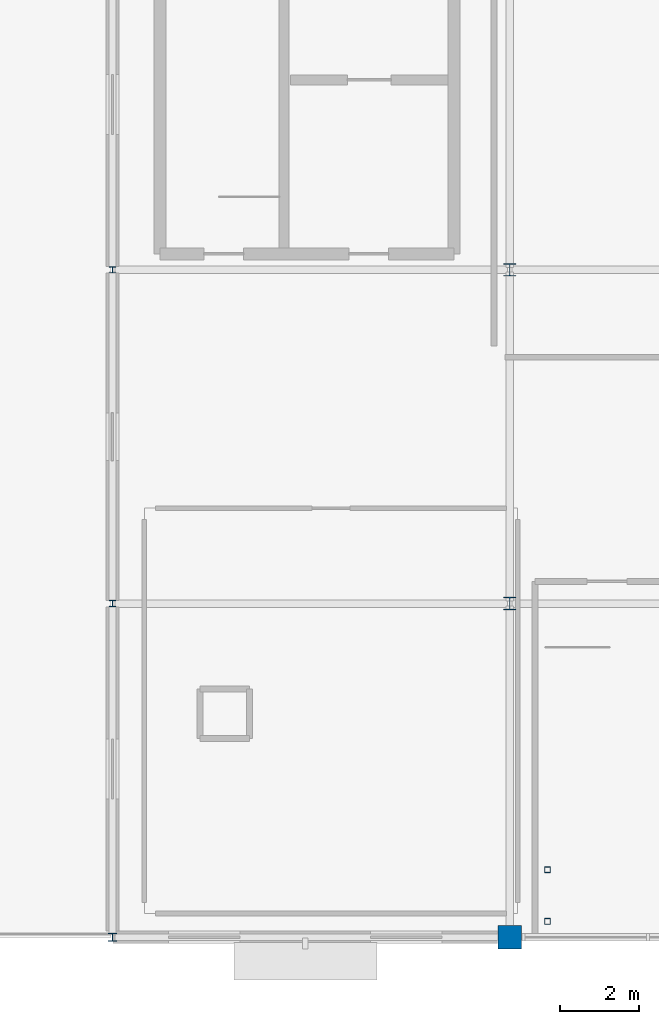
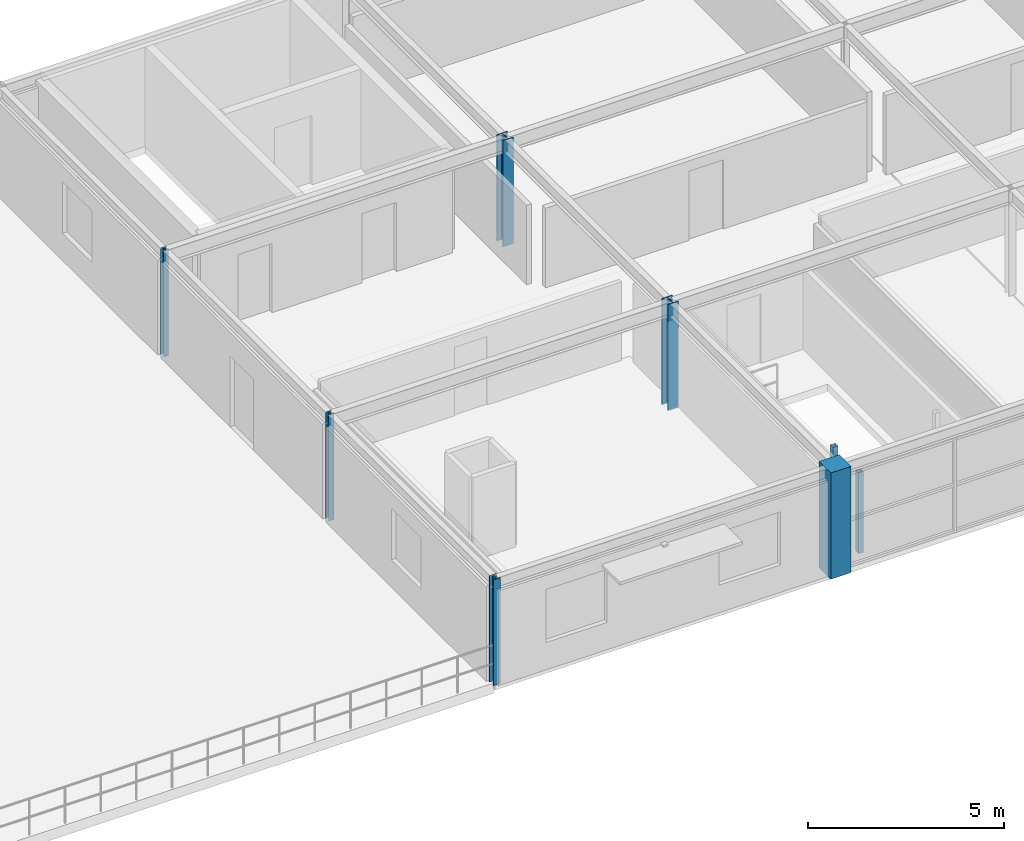
# One storey, part 1 of 12: 8 columns.
"""IFC4 building model written with IfcOpenShell, lengths in metres."""

from ifc_helpers import new_model, si_unit, derived_unit, direction, frame, origin, origin_2d_with_axis, place, context, subcontext, project, spatial, rectangle, hollow_rectangle, i_section, extrude, material, material_profile, profile_set, type_object, element, save


model = new_model("IFC4")

# Units and contexts
model_context = context("Model", 3, precision=1e-05, world=origin(), true_north=direction((0.0, 1.0)))
body_context = subcontext(model_context, "Body", "Model", "MODEL_VIEW")
ifc_project = project(units=[si_unit("LENGTHUNIT", "METRE"), si_unit("AREAUNIT", "SQUARE_METRE"), si_unit("VOLUMEUNIT", "CUBIC_METRE"), si_unit("PLANEANGLEUNIT", "RADIAN"), si_unit("MASSUNIT", "GRAM", prefix="KILO"), derived_unit("THERMALTRANSMITTANCEUNIT", [(si_unit("POWERUNIT", "WATT"), 1), (si_unit("LENGTHUNIT", "METRE"), -2), (si_unit("THERMODYNAMICTEMPERATUREUNIT", "KELVIN"), -1)])], contexts=[model_context])

# Site, building, storey
site_placement = place(None, origin())
site = spatial("IfcSite", under=ifc_project, at=site_placement, CompositionType="ELEMENT")
building_placement = place(site_placement, origin())
building = spatial("IfcBuilding", under=site, at=building_placement, Name="Cinnabar Yard Market Hall", CompositionType="ELEMENT")
storey_placement = place(building_placement, frame((0.0, 0.0, 15.300048828125)))
storey = spatial("IfcBuildingStorey", under=building, at=storey_placement, Name="L04", CompositionType="ELEMENT", Elevation=15.300048828125)

# Columns
ifc_material_1 = material(Name="Steel Grade 350 (350 MPa)", Category="steel")
ifc_material_profile_1 = material_profile(ifc_material_1, i_section(OverallWidth=0.311279296875, OverallDepth=0.3271484375, WebThickness=0.015625, FlangeThickness=0.02490234375, FilletRadius=0.0166015625, at=origin_2d_with_axis()), Name="310UC158")
ifc_profile_set_1 = profile_set([ifc_material_profile_1], Name="Steel Grade 350 (350 MPa)")
column_type_1 = type_object("IfcColumnType", Name="COL-C06", PredefinedType="COLUMN", material=ifc_profile_set_1)
column_1_placement = place(storey_placement, frame((106.0, 121.199951171875, 0.0), z_axis=(0.0, 0.0, 1.0), x_axis=(1.0, 0.0, 0.0)))
element("IfcColumn", 1, at=column_1_placement, inside=storey, type_object=column_type_1, Name="Belvedere Column V3-05-03 L04", PredefinedType="COLUMN", context=body_context, shape_type="SweptSolid", body=[
    extrude(i_section(OverallWidth=0.311279296875, OverallDepth=0.3271484375, WebThickness=0.015625, FlangeThickness=0.02490234375, FilletRadius=0.0166015625, at=origin_2d_with_axis()), origin(), (0.0, 0.0, 1.0), 3.300048828125),
])
ifc_material_profile_2 = material_profile(ifc_material_1, i_section(OverallWidth=0.30908203125, OverallDepth=0.320556640625, WebThickness=0.013916015625, FlangeThickness=0.021728515625, FilletRadius=0.0166015625, at=origin_2d_with_axis()), Name="310UC137")
ifc_profile_set_2 = profile_set([ifc_material_profile_2], Name="Steel Grade 350 (350 MPa)")
column_type_2 = type_object("IfcColumnType", Name="COL-C07", PredefinedType="COLUMN", material=ifc_profile_set_2)
column_2_placement = place(storey_placement, frame((106.0, 129.60009765625, 0.0), z_axis=(0.0, 0.0, 1.0), x_axis=(1.0, 0.0, 0.0)))
element("IfcColumn", 2, at=column_2_placement, inside=storey, type_object=column_type_2, Name="Belvedere Column V3-05-04 L04", PredefinedType="COLUMN", context=body_context, shape_type="SweptSolid", body=[
    extrude(i_section(OverallWidth=0.30908203125, OverallDepth=0.320556640625, WebThickness=0.013916015625, FlangeThickness=0.021728515625, FilletRadius=0.0166015625, at=origin_2d_with_axis()), origin(), (0.0, 0.0, 1.0), 3.300048828125),
])
ifc_material_2 = material(Name="Cold-formed steel C350L0", Category="steel")
ifc_material_profile_3 = material_profile(ifc_material_2, hollow_rectangle(XDim=0.14990234375, YDim=0.14990234375, WallThickness=0.006103515625, InnerFilletRadius=0.006103515625, OuterFilletRadius=0.011962890625, at=origin_2d_with_axis()), Name="150x150x6.0SHS")
ifc_profile_set_3 = profile_set([ifc_material_profile_3], Name="Cold-formed steel C350L0")
column_type_3 = type_object("IfcColumnType", Name="COL-C16", PredefinedType="COLUMN", material=ifc_profile_set_3)
for number, where, z_axis, x_axis, name in (
    (3, (106.949951171875, 113.199951171875, 0.0), (0.0, 0.0, 1.0), (1.0, 0.0, 0.0), "Feature Stair Cap Post ST-F4-1"),
    (4, (106.949951171875, 114.5, 0.0), (0.0, 0.0, 1.0), (1.0, 0.0, 0.0), "Feature Stair Cap Post ST-F4-3"),
):
    element("IfcColumn", number, at=place(storey_placement, frame(where, z_axis=z_axis, x_axis=x_axis)), inside=storey, type_object=column_type_3, Name=name, PredefinedType="COLUMN", context=body_context, shape_type="SweptSolid", body=[
        extrude(hollow_rectangle(XDim=0.14990234375, YDim=0.14990234375, WallThickness=0.006103515625, InnerFilletRadius=0.006103515625, OuterFilletRadius=0.011962890625, at=origin_2d_with_axis()), origin(), (0.0, 0.0, 1.0), 2.510009765625),
    ])
ifc_material_3 = material(Name="Steel Grade 300 (300 MPa)", Category="steel")
ifc_material_profile_4 = material_profile(ifc_material_3, i_section(OverallWidth=0.205078125, OverallDepth=0.209716796875, WebThickness=0.00927734375, FlangeThickness=0.01416015625, FilletRadius=0.011474609375, at=origin_2d_with_axis()), Name="200UC59.5")
ifc_profile_set_4 = profile_set([ifc_material_profile_4], Name="Steel Grade 300 (300 MPa)")
column_type_4 = type_object("IfcColumnType", Name="COL-C17E", PredefinedType="COLUMN", material=ifc_profile_set_4)
column_3_placement = place(storey_placement, frame((96.0, 112.800048828125, 0.0), z_axis=(0.0, 0.0, 1.0), x_axis=(1.0, 0.0, 0.0)))
element("IfcColumn", 5, at=column_3_placement, inside=storey, type_object=column_type_4, Name="Belvedere Column V3-04-02 L04", PredefinedType="COLUMN", context=body_context, shape_type="SweptSolid", body=[
    extrude(i_section(OverallWidth=0.205078125, OverallDepth=0.209716796875, WebThickness=0.00927734375, FlangeThickness=0.01416015625, FilletRadius=0.011474609375, at=origin_2d_with_axis()), origin(), (0.0, 0.0, 1.0), 3.300048828125),
])
ifc_material_profile_5 = material_profile(ifc_material_3, i_section(OverallWidth=0.15283203125, OverallDepth=0.15771484375, WebThickness=0.006591796875, FlangeThickness=0.009521484375, FilletRadius=0.0087890625, at=origin_2d_with_axis()), Name="150UC30.0")
ifc_profile_set_5 = profile_set([ifc_material_profile_5], Name="Steel Grade 300 (300 MPa)")
column_type_5 = type_object("IfcColumnType", Name="COL-C18E", PredefinedType="COLUMN", material=ifc_profile_set_5)
column_4_placement = place(storey_placement, frame((96.0, 121.199951171875, 0.0), z_axis=(0.0, 0.0, 1.0), x_axis=(1.0, 0.0, 0.0)))
element("IfcColumn", 6, at=column_4_placement, inside=storey, type_object=column_type_5, Name="Belvedere Column V3-04-03 L04", PredefinedType="COLUMN", context=body_context, shape_type="SweptSolid", body=[
    extrude(i_section(OverallWidth=0.15283203125, OverallDepth=0.15771484375, WebThickness=0.006591796875, FlangeThickness=0.009521484375, FilletRadius=0.0087890625, at=origin_2d_with_axis()), origin(), (0.0, 0.0, 1.0), 3.300048828125),
])
ifc_material_profile_6 = material_profile(ifc_material_3, i_section(OverallWidth=0.152099609375, OverallDepth=0.15234375, WebThickness=0.005859375, FlangeThickness=0.0068359375, FilletRadius=0.0087890625, at=origin_2d_with_axis()), Name="150UC23.4")
ifc_profile_set_6 = profile_set([ifc_material_profile_6], Name="Steel Grade 300 (300 MPa)")
column_type_6 = type_object("IfcColumnType", Name="COL-C19E", PredefinedType="COLUMN", material=ifc_profile_set_6)
column_5_placement = place(storey_placement, frame((96.0, 129.60009765625, 0.0), z_axis=(0.0, 0.0, 1.0), x_axis=(1.0, 0.0, 0.0)))
element("IfcColumn", 7, at=column_5_placement, inside=storey, type_object=column_type_6, Name="Belvedere Column V3-04-04 L04", PredefinedType="COLUMN", context=body_context, shape_type="SweptSolid", body=[
    extrude(i_section(OverallWidth=0.152099609375, OverallDepth=0.15234375, WebThickness=0.005859375, FlangeThickness=0.0068359375, FilletRadius=0.0087890625, at=origin_2d_with_axis()), origin(), (0.0, 0.0, 1.0), 3.300048828125),
])
ifc_material_4 = material(Name="Concrete 40 MPa", Category="concrete")
ifc_material_profile_7 = material_profile(ifc_material_4, rectangle(XDim=0.60009765625, YDim=0.60009765625, at=origin_2d_with_axis()), Name="RC-600x600")
ifc_profile_set_7 = profile_set([ifc_material_profile_7], Name="Concrete 40 MPa")
column_type_7 = type_object("IfcColumnType", Name="COL-RC2E", PredefinedType="COLUMN", material=ifc_profile_set_7)
column_6_placement = place(storey_placement, frame((106.0, 112.800048828125, 0.0), z_axis=(0.0, 0.0, 1.0), x_axis=(1.0, 0.0, 0.0)))
element("IfcColumn", 8, at=column_6_placement, inside=storey, type_object=column_type_7, Name="Belvedere Column V3-05-02 L04", PredefinedType="COLUMN", context=body_context, shape_type="SweptSolid", body=[
    extrude(rectangle(XDim=0.60009765625, YDim=0.60009765625, at=origin_2d_with_axis()), origin(), (0.0, 0.0, 1.0), 3.300048828125),
])

save(model, "model.ifc")
